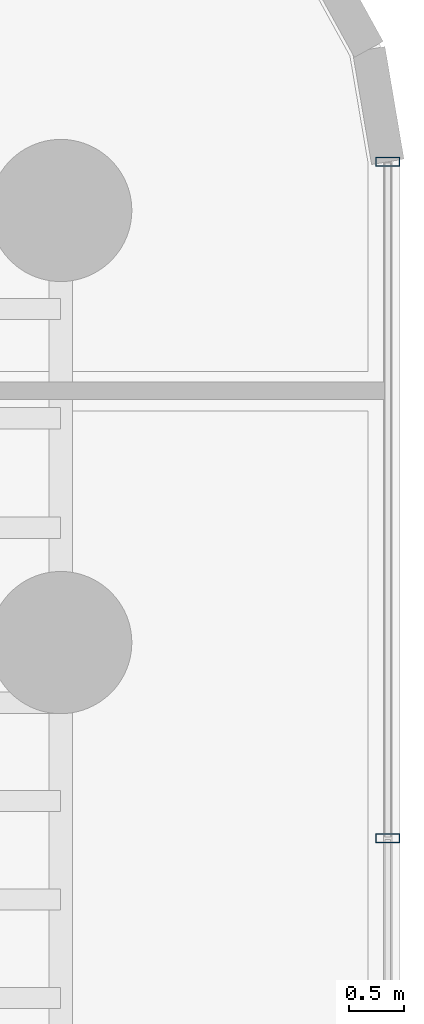
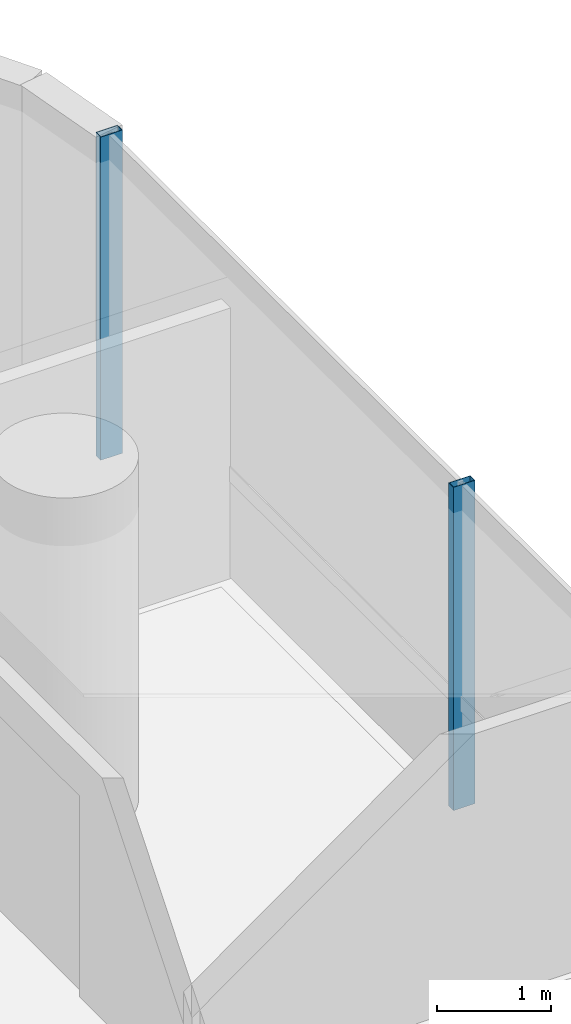
# One storey, part 26 of 40: 2 members, 1 element without a shape of its own.
"""IFC4 building model written with IfcOpenShell, lengths in metres."""

from ifc_helpers import new_model, si_unit, direction, frame, origin, origin_2d, place, context, subcontext, project, spatial, hollow_rectangle, extrude, source, transform, mapped, material, material_profile, profile_set, type_object, element, aggregate, save


model = new_model("IFC4")

# Units and contexts
model_context = context("Model", 3, precision=1e-05, world=origin(), true_north=direction((0.0, 1.0)))
body_context = subcontext(model_context, "Body", "Model", "MODEL_VIEW")
ifc_project = project(units=[si_unit("LENGTHUNIT", "METRE"), si_unit("AREAUNIT", "SQUARE_METRE"), si_unit("VOLUMEUNIT", "CUBIC_METRE"), si_unit("PLANEANGLEUNIT", "RADIAN"), si_unit("MASSUNIT", "GRAM", prefix="KILO")], contexts=[model_context])

# Site, building, storey
site_placement = place(None, origin())
site = spatial("IfcSite", under=ifc_project, at=site_placement, CompositionType="ELEMENT")
building_placement = place(site_placement, origin())
building = spatial("IfcBuilding", under=site, at=building_placement, Name="Valdorenza Pilgrim Sanctuary Tower", CompositionType="ELEMENT")
storey_placement = place(building_placement, frame((0.0, 0.0, 44.5)))
storey = spatial("IfcBuildingStorey", under=building, at=storey_placement, Name="L10", CompositionType="ELEMENT", Elevation=44.5)

# Curtain wall, members
ifc_material_1 = material(Name="Curtain-wall IGU glazing", Category="glass")
curtain_wall_type = type_object("IfcCurtainWallType", Name="CW-SYS-03", PredefinedType="NOTDEFINED", material=ifc_material_1)
curtain_wall_placement = place(storey_placement, origin())
curtain_wall = element("IfcCurtainWall", 1, at=curtain_wall_placement, inside=storey, type_object=curtain_wall_type, Name="L10 Curtain Wall CW-L10-1-21", PredefinedType="NOTDEFINED")
ifc_material_2 = material(Name="Anodised aluminium AW-6060", Category="aluminium")
ifc_material_profile = material_profile(ifc_material_2, hollow_rectangle(XDim=0.0849609375, YDim=0.219970703125, WallThickness=0.0048828125, at=origin_2d()), Name="ALU-M 220x85x5")
ifc_profile_set = profile_set([ifc_material_profile], Name="Anodised aluminium AW-6060")
member_type = type_object("IfcMemberType", Name="CW-MUL-03", PredefinedType="MULLION", material=ifc_profile_set)
shared_shape = source(origin(), body_context, "Body", "SweptSolid", [
    extrude(hollow_rectangle(XDim=0.0849609375, YDim=0.219970703125, WallThickness=0.0048828125, at=origin_2d()), origin(), (0.0, 0.0, 1.0), 3.4599609375),
])
member_1_placement = place(storey_placement, frame((31.389892578125, 13.945068359375, 0.0), z_axis=(0.0, 0.0, 1.0), x_axis=(0.0, -1.0, 0.0)))
member_1 = element("IfcMember", 2, at=member_1_placement, type_object=member_type, Name="CW-L10-1-21 Mullion 1", PredefinedType="MULLION", context=body_context, shape_type="MappedRepresentation", body=[
    mapped(shared_shape, transform((0.0, 0.0, 0.0), x_axis=(1.0, 0.0, 0.0), y_axis=(0.0, 1.0, 0.0), z_axis=(0.0, 0.0, 1.0), scale=1.0)),
])
member_2_placement = place(storey_placement, frame((31.389892578125, 7.761474609375, 0.0), z_axis=(0.0, 0.0, 1.0), x_axis=(0.0, -1.0, 0.0)))
member_2 = element("IfcMember", 3, at=member_2_placement, type_object=member_type, Name="CW-L10-1-21 Mullion 2", PredefinedType="MULLION", context=body_context, shape_type="MappedRepresentation", body=[
    mapped(shared_shape, transform((0.0, 0.0, 0.0), x_axis=(1.0, 0.0, 0.0), y_axis=(0.0, 1.0, 0.0), z_axis=(0.0, 0.0, 1.0), scale=1.0)),
])
aggregate(curtain_wall, [member_1, member_2])

save(model, "model.ifc")
